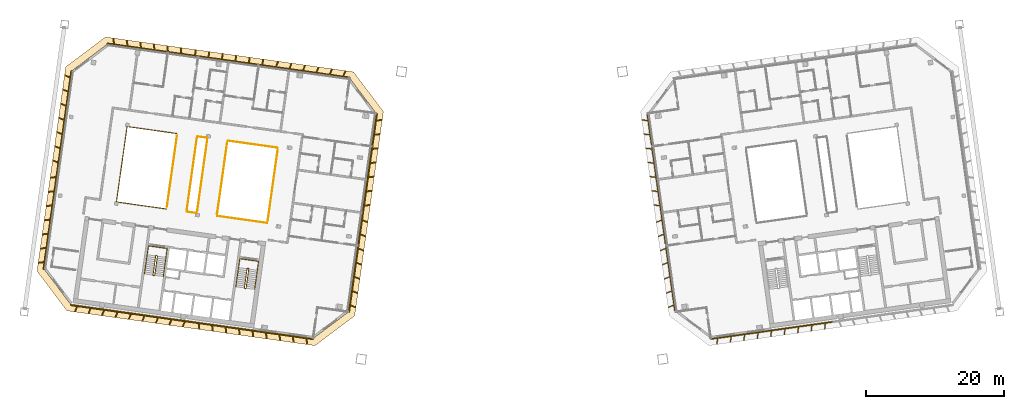
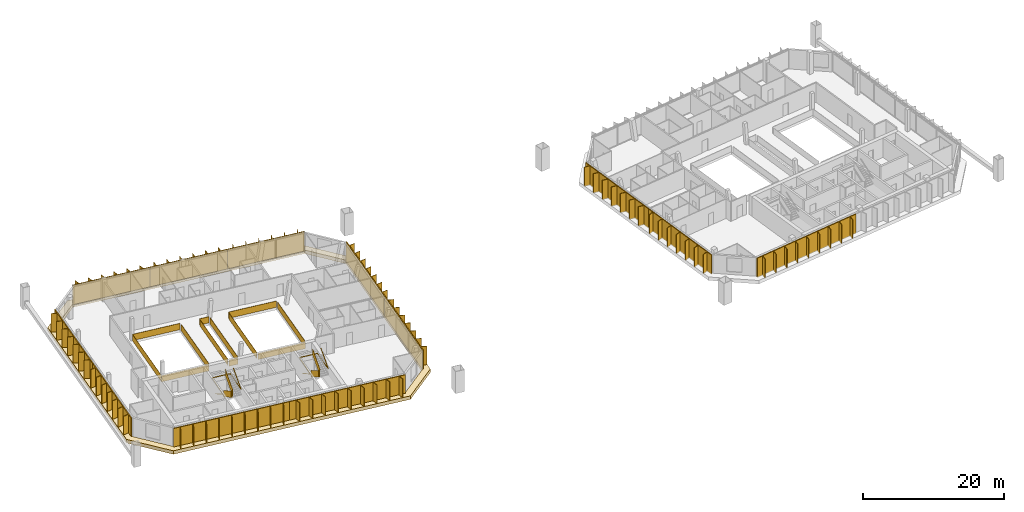
# One storey, part 25 of 26: 14 railings, 12 shading devices, 1 covering.
"""IFC4 building model written with IfcOpenShell, lengths in metres."""

from ifc_helpers import new_model, si_unit, direction, frame, origin, origin_2d, place, context, subcontext, project, spatial, polyline, rectangle, outline, extrude, material, layer, layer_set, type_object, element, save


model = new_model("IFC4")

# Units and contexts
model_context = context("Model", 3, precision=1e-05, world=origin(), true_north=direction((0.0, 1.0)))
body_context = subcontext(model_context, "Body", "Model", "MODEL_VIEW")
ifc_project = project(units=[si_unit("LENGTHUNIT", "METRE"), si_unit("AREAUNIT", "SQUARE_METRE"), si_unit("VOLUMEUNIT", "CUBIC_METRE"), si_unit("PLANEANGLEUNIT", "RADIAN"), si_unit("MASSUNIT", "GRAM", prefix="KILO")], contexts=[model_context])

# Site, building, storey
site_placement = place(None, origin())
site = spatial("IfcSite", under=ifc_project, at=site_placement, CompositionType="ELEMENT")
building_placement = place(site_placement, origin())
building = spatial("IfcBuilding", under=site, at=building_placement, Name="Mirante Cascada Hotel Towers", CompositionType="ELEMENT")
storey_placement = place(building_placement, frame((0.0, 0.0, 235.6)))
storey = spatial("IfcBuildingStorey", under=building, at=storey_placement, Name="L56", CompositionType="ELEMENT", Elevation=235.6)

# Railings
ifc_material_1 = material(Name="Toughened glass with stainless steel handrail", Category="steel")
railing_type_1 = type_object("IfcRailingType", Name="Atrium guard 1100 glass balustrade", PredefinedType="GUARDRAIL", material=ifc_material_1)
railing_1_placement = place(storey_placement, frame((-35.4245, -4.671, 0.0)))
element("IfcRailing", 1, at=railing_1_placement, inside=storey, type_object=railing_type_1, Name="GUARD 1-L56-1", PredefinedType="GUARDRAIL", context=body_context, shape_type="SweptSolid", body=[
    extrude(rectangle(XDim=0.048, YDim=0.048, at=origin_2d()), frame((0.0, 0.0, 1.076), z_axis=(-0.9902695, 0.1391628, 0.0), x_axis=(-0.1391628, -0.9902695, 0.0)), (0.0, 0.0, 1.0), 7.2907),
    extrude(rectangle(XDim=0.02, YDim=1.052, at=origin_2d()), frame((0.0, 0.0, 0.526), z_axis=(-0.9902695, 0.1391628, 0.0), x_axis=(-0.1391628, -0.9902695, 0.0)), (0.0, 0.0, 1.0), 7.2907),
])
railing_2_placement = place(storey_placement, frame((-41.1134, 7.2366, 0.0)))
element("IfcRailing", 2, at=railing_2_placement, inside=storey, type_object=railing_type_1, Name="GUARD 1-L56-2", PredefinedType="GUARDRAIL", context=body_context, shape_type="SweptSolid", body=[
    extrude(rectangle(XDim=0.048, YDim=0.048, at=origin_2d()), frame((0.0, 0.0, 1.076), z_axis=(0.9902676, -0.1391762, 0.0), x_axis=(0.1391762, 0.9902676, 0.0)), (0.0, 0.0, 1.0), 7.2908),
    extrude(rectangle(XDim=0.02, YDim=1.052, at=origin_2d()), frame((0.0, 0.0, 0.526), z_axis=(0.9902676, -0.1391762, 0.0), x_axis=(0.1391762, 0.9902676, 0.0)), (0.0, 0.0, 1.0), 7.2908),
])
railing_3_placement = place(storey_placement, frame((-45.6151, -3.2389, 0.0)))
element("IfcRailing", 3, at=railing_3_placement, inside=storey, type_object=railing_type_1, Name="GUARD 1-L56-3", PredefinedType="GUARDRAIL", context=body_context, shape_type="SweptSolid", body=[
    extrude(rectangle(XDim=0.048, YDim=0.048, at=origin_2d()), frame((0.0, 0.0, 1.076), z_axis=(-0.9902623, 0.139214, 0.0), x_axis=(-0.139214, -0.9902623, 0.0)), (0.0, 0.0, 1.0), 1.4273),
    extrude(rectangle(XDim=0.02, YDim=1.052, at=origin_2d()), frame((0.0, 0.0, 0.526), z_axis=(-0.9902623, 0.139214, 0.0), x_axis=(-0.139214, -0.9902623, 0.0)), (0.0, 0.0, 1.0), 1.4273),
])
railing_4_placement = place(storey_placement, frame((-45.4976, 7.8527, 0.0)))
element("IfcRailing", 4, at=railing_4_placement, inside=storey, type_object=railing_type_1, Name="GUARD 1-L56-4", PredefinedType="GUARDRAIL", context=body_context, shape_type="SweptSolid", body=[
    extrude(rectangle(XDim=0.048, YDim=0.048, at=origin_2d()), frame((0.0, 0.0, 1.076), z_axis=(0.990272, -0.1391453, 0.0), x_axis=(0.1391453, 0.990272, 0.0)), (0.0, 0.0, 1.0), 1.4273),
    extrude(rectangle(XDim=0.02, YDim=1.052, at=origin_2d()), frame((0.0, 0.0, 0.526), z_axis=(0.990272, -0.1391453, 0.0), x_axis=(0.1391453, 0.990272, 0.0)), (0.0, 0.0, 1.0), 1.4273),
])
railing_5_placement = place(storey_placement, frame((-49.9993, -2.6227, 0.0)))
element("IfcRailing", 5, at=railing_5_placement, inside=storey, type_object=railing_type_1, Name="GUARD 1-L56-5", PredefinedType="GUARDRAIL", context=body_context, shape_type="SweptSolid", body=[
    extrude(rectangle(XDim=0.048, YDim=0.048, at=origin_2d()), frame((0.0, 0.0, 1.076), z_axis=(-0.9902672, 0.1391793, 0.0), x_axis=(-0.1391793, -0.9902672, 0.0)), (0.0, 0.0, 1.0), 7.282),
    extrude(rectangle(XDim=0.02, YDim=1.052, at=origin_2d()), frame((0.0, 0.0, 0.526), z_axis=(-0.9902672, 0.1391793, 0.0), x_axis=(-0.1391793, -0.9902672, 0.0)), (0.0, 0.0, 1.0), 7.282),
    extrude(rectangle(XDim=0.048, YDim=0.048, at=origin_2d()), frame((-7.2111, 1.0135, 1.076), z_axis=(0.1391733, 0.990268, 0.0), x_axis=(-0.990268, 0.1391733, 0.0)), (0.0, 0.0, 1.0), 11.0),
    extrude(rectangle(XDim=0.02, YDim=1.052, at=origin_2d()), frame((-7.2111, 1.0135, 0.526), z_axis=(0.1391733, 0.990268, 0.0), x_axis=(-0.990268, 0.1391733, 0.0)), (0.0, 0.0, 1.0), 11.0),
    extrude(rectangle(XDim=0.048, YDim=0.048, at=origin_2d()), frame((-5.6802, 11.9064, 1.076), z_axis=(0.9902691, -0.1391658, 0.0), x_axis=(0.1391658, 0.9902691, 0.0)), (0.0, 0.0, 1.0), 7.282),
    extrude(rectangle(XDim=0.02, YDim=1.052, at=origin_2d()), frame((-5.6802, 11.9064, 0.526), z_axis=(0.9902691, -0.1391658, 0.0), x_axis=(0.1391658, 0.9902691, 0.0)), (0.0, 0.0, 1.0), 7.282),
])
railing_6_placement = place(storey_placement, frame((-49.9096, -2.3367, 0.0)))
element("IfcRailing", 6, at=railing_6_placement, inside=storey, type_object=railing_type_1, Name="GUARD 1-L56-6", PredefinedType="GUARDRAIL", context=body_context, shape_type="SweptSolid", body=[
    extrude(rectangle(XDim=0.048, YDim=0.048, at=origin_2d()), frame((0.0, 0.0, 1.076), z_axis=(0.1391721, 0.9902682, 0.0), x_axis=(-0.9902682, 0.1391721, 0.0)), (0.0, 0.0, 1.0), 10.4087),
    extrude(rectangle(XDim=0.02, YDim=1.052, at=origin_2d()), frame((0.0, 0.0, 0.526), z_axis=(0.1391721, 0.9902682, 0.0), x_axis=(-0.9902682, 0.1391721, 0.0)), (0.0, 0.0, 1.0), 10.4087),
])
railing_7_placement = place(storey_placement, frame((-45.5873, 7.5668, 0.0)))
element("IfcRailing", 7, at=railing_7_placement, inside=storey, type_object=railing_type_1, Name="GUARD 1-L56-7", PredefinedType="GUARDRAIL", context=body_context, shape_type="SweptSolid", body=[
    extrude(rectangle(XDim=0.048, YDim=0.048, at=origin_2d()), frame((0.0, 0.0, 1.076), z_axis=(-0.1391721, -0.9902682, 0.0), x_axis=(0.9902682, -0.1391721, 0.0)), (0.0, 0.0, 1.0), 10.4087),
    extrude(rectangle(XDim=0.02, YDim=1.052, at=origin_2d()), frame((0.0, 0.0, 0.526), z_axis=(-0.1391721, -0.9902682, 0.0), x_axis=(0.9902682, -0.1391721, 0.0)), (0.0, 0.0, 1.0), 10.4087),
])
railing_8_placement = place(storey_placement, frame((-45.5254, -2.9529, 0.0)))
element("IfcRailing", 8, at=railing_8_placement, inside=storey, type_object=railing_type_1, Name="GUARD 1-L56-8", PredefinedType="GUARDRAIL", context=body_context, shape_type="SweptSolid", body=[
    extrude(rectangle(XDim=0.048, YDim=0.048, at=origin_2d()), frame((0.0, 0.0, 1.076), z_axis=(0.1391721, 0.9902682, 0.0), x_axis=(-0.9902682, 0.1391721, 0.0)), (0.0, 0.0, 1.0), 10.4087),
    extrude(rectangle(XDim=0.02, YDim=1.052, at=origin_2d()), frame((0.0, 0.0, 0.526), z_axis=(0.1391721, 0.9902682, 0.0), x_axis=(-0.9902682, 0.1391721, 0.0)), (0.0, 0.0, 1.0), 10.4087),
])
railing_9_placement = place(storey_placement, frame((-41.2031, 6.9506, 0.0)))
element("IfcRailing", 9, at=railing_9_placement, inside=storey, type_object=railing_type_1, Name="GUARD 1-L56-9", PredefinedType="GUARDRAIL", context=body_context, shape_type="SweptSolid", body=[
    extrude(rectangle(XDim=0.048, YDim=0.048, at=origin_2d()), frame((0.0, 0.0, 1.076), z_axis=(-0.1391721, -0.9902682, 0.0), x_axis=(0.9902682, -0.1391721, 0.0)), (0.0, 0.0, 1.0), 10.4087),
    extrude(rectangle(XDim=0.02, YDim=1.052, at=origin_2d()), frame((0.0, 0.0, 0.526), z_axis=(-0.1391721, -0.9902682, 0.0), x_axis=(0.9902682, -0.1391721, 0.0)), (0.0, 0.0, 1.0), 10.4087),
])
railing_10_placement = place(storey_placement, frame((-35.3348, -4.3851, 0.0)))
element("IfcRailing", 10, at=railing_10_placement, inside=storey, type_object=railing_type_1, Name="GUARD 1-L56-10", PredefinedType="GUARDRAIL", context=body_context, shape_type="SweptSolid", body=[
    extrude(rectangle(XDim=0.048, YDim=0.048, at=origin_2d()), frame((0.0, 0.0, 1.076), z_axis=(0.1391721, 0.9902682, 0.0), x_axis=(-0.9902682, 0.1391721, 0.0)), (0.0, 0.0, 1.0), 10.4087),
    extrude(rectangle(XDim=0.02, YDim=1.052, at=origin_2d()), frame((0.0, 0.0, 0.526), z_axis=(0.1391721, 0.9902682, 0.0), x_axis=(-0.9902682, 0.1391721, 0.0)), (0.0, 0.0, 1.0), 10.4087),
])

# Covering
ifc_material_2 = material(Name="Precast concrete C40/50 white", Category="concrete")
ifc_layer = layer(ifc_material_2, 0.6)
ifc_layer_set = layer_set([ifc_layer], Name="Precast concrete SUNSHADE band 1000x600")
covering_type = type_object("IfcCoveringType", Name="Precast concrete SUNSHADE band 1000x600", PredefinedType="CLADDING", material=ifc_layer_set)
covering_placement = place(storey_placement, frame((0.0, 0.0, -0.45)))
element("IfcCovering", 11, at=covering_placement, inside=storey, type_object=covering_type, Name="Precast concrete SUNSHADE band T1 L56", PredefinedType="CLADDING", context=body_context, shape_type="SweptSolid", body=[
    extrude(outline(polyline([(-68.7156, -11.6197), (-64.5643, 17.9185), (-58.8202, 22.247), (-22.9259, 17.2024), (-18.5975, 11.4583), (-22.7488, -18.0799), (-28.4929, -22.4084), (-64.3871, -17.3638), (-68.7156, -11.6197)]), holes=[polyline([(-19.6454, 11.1873), (-23.4753, 16.2697), (-58.5492, 21.199), (-63.6316, 17.3691), (-67.6677, -11.3487), (-63.8377, -16.4311), (-28.7639, -21.3604), (-23.6814, -17.5305), (-19.6454, 11.1873)])]), origin(), (0.0, 0.0, 1.0), 0.6),
])

# Railings
ifc_material_3 = material(Name="Painted steel", Category="steel")
railing_type_2 = type_object("IfcRailingType", Name="Stair guard 1100 steel balustrade", PredefinedType="GUARDRAIL", material=ifc_material_3)
railing_11_placement = place(storey_placement, frame((-38.1178, -11.2603, 0.0)))
element("IfcRailing", 12, at=railing_11_placement, inside=storey, type_object=railing_type_2, Name="L56 ST1-A stair guard 1", PredefinedType="GUARDRAIL", context=body_context, shape_type="SweptSolid", body=[
    extrude(rectangle(XDim=0.048, YDim=0.048, at=origin_2d()), frame((0.0, 0.0, 1.076), z_axis=(-0.9903326, 0.1387133, 0.0), x_axis=(-0.1387133, -0.9903326, 0.0)), (0.0, 0.0, 1.0), 0.1499),
    extrude(rectangle(XDim=0.02, YDim=1.052, at=origin_2d()), frame((0.0, 0.0, 0.526), z_axis=(-0.9903326, 0.1387133, 0.0), x_axis=(-0.1387133, -0.9903326, 0.0)), (0.0, 0.0, 1.0), 0.1499),
    extrude(rectangle(XDim=0.048, YDim=0.048, at=origin_2d()), frame((-0.1485, 0.0208, 1.076), z_axis=(-0.7991505, -0.6011309, 0.0), x_axis=(0.6011309, -0.7991505, 0.0)), (0.0, 0.9254529, 0.3788627), 0.1866),
    extrude(rectangle(XDim=0.02, YDim=1.052, at=origin_2d()), frame((-0.1485, 0.0208, 0.526), z_axis=(-0.7991505, -0.6011309, 0.0), x_axis=(0.6011309, -0.7991505, 0.0)), (0.0, 0.9254529, 0.3788627), 0.1866),
    extrude(rectangle(XDim=0.048, YDim=0.048, at=origin_2d()), frame((-0.205, -0.0217, 1.2487), z_axis=(-0.139176, -0.9902677, 0.0), x_axis=(0.9902677, -0.139176, 0.0)), (0.0, 0.5250212, 0.8510891), 3.29),
    extrude(rectangle(XDim=0.02, YDim=1.052, at=origin_2d()), frame((-0.205, -0.0217, 0.6987), z_axis=(-0.139176, -0.9902677, 0.0), x_axis=(0.9902677, -0.139176, 0.0)), (0.0, 0.5250212, 0.8510891), 3.29),
    extrude(rectangle(XDim=0.048, YDim=0.048, at=origin_2d()), frame((-0.5947, -2.7945, 2.976), z_axis=(0.9270311, -0.3749843, 0.0), x_axis=(0.3749843, 0.9270311, 0.0)), (0.0, 0.0, 1.0), 0.2061),
    extrude(rectangle(XDim=0.02, YDim=1.052, at=origin_2d()), frame((-0.5947, -2.7945, 2.426), z_axis=(0.9270311, -0.3749843, 0.0), x_axis=(0.3749843, 0.9270311, 0.0)), (0.0, 0.0, 1.0), 0.2061),
    extrude(rectangle(XDim=0.048, YDim=0.048, at=origin_2d()), frame((-0.4036, -2.8718, 2.976), z_axis=(-0.9902408, 0.1393672, 0.0), x_axis=(-0.1393672, -0.9902408, 0.0)), (0.0, 0.0, 1.0), 0.15),
    extrude(rectangle(XDim=0.02, YDim=1.052, at=origin_2d()), frame((-0.4036, -2.8718, 2.426), z_axis=(-0.9902408, 0.1393672, 0.0), x_axis=(-0.1393672, -0.9902408, 0.0)), (0.0, 0.0, 1.0), 0.15),
    extrude(rectangle(XDim=0.048, YDim=0.048, at=origin_2d()), frame((-0.5521, -2.8509, 2.976), z_axis=(0.9944948, 0.1047858, 0.0), x_axis=(-0.1047858, 0.9944948, 0.0)), (0.0, 0.6422034, 0.7665343), 0.2689),
    extrude(rectangle(XDim=0.02, YDim=1.052, at=origin_2d()), frame((-0.5521, -2.8509, 2.426), z_axis=(0.9944948, 0.1047858, 0.0), x_axis=(-0.1047858, 0.9944948, 0.0)), (0.0, 0.6422034, 0.7665343), 0.2689),
    extrude(rectangle(XDim=0.048, YDim=0.048, at=origin_2d()), frame((-0.3471, -2.8293, 3.1487), z_axis=(0.139176, 0.9902677, 0.0), x_axis=(-0.9902677, 0.139176, 0.0)), (0.0, 0.5250212, 0.8510891), 3.29),
    extrude(rectangle(XDim=0.02, YDim=1.052, at=origin_2d()), frame((-0.3471, -2.8293, 2.5987), z_axis=(0.139176, 0.9902677, 0.0), x_axis=(-0.9902677, 0.139176, 0.0)), (0.0, 0.5250212, 0.8510891), 3.29),
])
railing_12_placement = place(storey_placement, frame((-51.3379, -9.4024, 0.0)))
element("IfcRailing", 13, at=railing_12_placement, inside=storey, type_object=railing_type_2, Name="L56 ST1-B stair guard 1", PredefinedType="GUARDRAIL", context=body_context, shape_type="SweptSolid", body=[
    extrude(rectangle(XDim=0.048, YDim=0.048, at=origin_2d()), frame((0.0, 0.0, 1.076), z_axis=(-0.9902408, 0.1393672, 0.0), x_axis=(-0.1393672, -0.9902408, 0.0)), (0.0, 0.0, 1.0), 0.15),
    extrude(rectangle(XDim=0.02, YDim=1.052, at=origin_2d()), frame((0.0, 0.0, 0.526), z_axis=(-0.9902408, 0.1393672, 0.0), x_axis=(-0.1393672, -0.9902408, 0.0)), (0.0, 0.0, 1.0), 0.15),
    extrude(rectangle(XDim=0.048, YDim=0.048, at=origin_2d()), frame((-0.1485, 0.0209, 1.076), z_axis=(-0.7984711, -0.6020331, 0.0), x_axis=(0.6020331, -0.7984711, 0.0)), (0.0, 0.9253398, 0.3791387), 0.1866),
    extrude(rectangle(XDim=0.02, YDim=1.052, at=origin_2d()), frame((-0.1485, 0.0209, 0.526), z_axis=(-0.7984711, -0.6020331, 0.0), x_axis=(0.6020331, -0.7984711, 0.0)), (0.0, 0.9253398, 0.3791387), 0.1866),
    extrude(rectangle(XDim=0.048, YDim=0.048, at=origin_2d()), frame((-0.205, -0.0217, 1.2487), z_axis=(-0.139181, -0.990267, 0.0), x_axis=(0.990267, -0.139181, 0.0)), (0.0, 0.5250347, 0.8510808), 3.2899),
    extrude(rectangle(XDim=0.02, YDim=1.052, at=origin_2d()), frame((-0.205, -0.0217, 0.6987), z_axis=(-0.139181, -0.990267, 0.0), x_axis=(0.990267, -0.139181, 0.0)), (0.0, 0.5250347, 0.8510808), 3.2899),
    extrude(rectangle(XDim=0.048, YDim=0.048, at=origin_2d()), frame((-0.5947, -2.7944, 2.976), z_axis=(0.9268624, -0.3754011, 0.0), x_axis=(0.3754011, 0.9268624, 0.0)), (0.0, 0.0, 1.0), 0.2062),
    extrude(rectangle(XDim=0.02, YDim=1.052, at=origin_2d()), frame((-0.5947, -2.7944, 2.426), z_axis=(0.9268624, -0.3754011, 0.0), x_axis=(0.3754011, 0.9268624, 0.0)), (0.0, 0.0, 1.0), 0.2062),
    extrude(rectangle(XDim=0.048, YDim=0.048, at=origin_2d()), frame((-0.4036, -2.8718, 2.976), z_axis=(-0.9902408, 0.1393672, 0.0), x_axis=(-0.1393672, -0.9902408, 0.0)), (0.0, 0.0, 1.0), 0.15),
    extrude(rectangle(XDim=0.02, YDim=1.052, at=origin_2d()), frame((-0.4036, -2.8718, 2.426), z_axis=(-0.9902408, 0.1393672, 0.0), x_axis=(-0.1393672, -0.9902408, 0.0)), (0.0, 0.0, 1.0), 0.15),
    extrude(rectangle(XDim=0.048, YDim=0.048, at=origin_2d()), frame((-0.5521, -2.8509, 2.976), z_axis=(0.9944441, 0.1052656, 0.0), x_axis=(-0.1052656, 0.9944441, 0.0)), (0.0, 0.6421842, 0.7665504), 0.2689),
    extrude(rectangle(XDim=0.02, YDim=1.052, at=origin_2d()), frame((-0.5521, -2.8509, 2.426), z_axis=(0.9944441, 0.1052656, 0.0), x_axis=(-0.1052656, 0.9944441, 0.0)), (0.0, 0.6421842, 0.7665504), 0.2689),
    extrude(rectangle(XDim=0.048, YDim=0.048, at=origin_2d()), frame((-0.3471, -2.8292, 3.1487), z_axis=(0.139181, 0.990267, 0.0), x_axis=(-0.990267, 0.139181, 0.0)), (0.0, 0.5250347, 0.8510808), 3.2899),
    extrude(rectangle(XDim=0.02, YDim=1.052, at=origin_2d()), frame((-0.3471, -2.8292, 2.5987), z_axis=(0.139181, 0.990267, 0.0), x_axis=(-0.990267, 0.139181, 0.0)), (0.0, 0.5250347, 0.8510808), 3.2899),
])
ifc_material_4 = material(Name="Painted steel", Category="steel")
railing_type_3 = type_object("IfcRailingType", Name="Stair handrail 900 steel tube", PredefinedType="HANDRAIL", material=ifc_material_4)
railing_13_placement = place(storey_placement, frame((-39.5606, -11.1081, 0.1727)))
element("IfcRailing", 14, at=railing_13_placement, inside=storey, type_object=railing_type_3, Name="L56 ST1-A stair handrail 1", PredefinedType="HANDRAIL", context=body_context, shape_type="SweptSolid", body=[
    extrude(rectangle(XDim=0.048, YDim=0.048, at=origin_2d()), frame((0.0, 0.0, 0.876), z_axis=(-0.139181, -0.990267, 0.0), x_axis=(0.990267, -0.139181, 0.0)), (0.0, 0.5250347, 0.8510808), 3.2899),
    extrude(rectangle(XDim=0.048, YDim=0.048, at=origin_2d()), frame((-0.3897, -2.7727, 2.6033), z_axis=(0.1391707, 0.9902684, 0.0), x_axis=(-0.9902684, 0.1391707, 0.0)), (0.0, 0.0420846, 0.999114), 4.1036),
    extrude(rectangle(XDim=0.048, YDim=0.048, at=origin_2d()), frame((0.1809, 1.2874, 2.776), z_axis=(0.9902691, -0.1391657, 0.0), x_axis=(0.1391657, 0.9902691, 0.0)), (0.0, 0.0, 1.0), 2.75),
    extrude(rectangle(XDim=0.048, YDim=0.048, at=origin_2d()), frame((2.9041, 0.9047, 2.776), z_axis=(-0.1391707, -0.9902684, 0.0), x_axis=(0.9902684, -0.1391707, 0.0)), (0.0, 0.0, 1.0), 4.1),
    extrude(rectangle(XDim=0.048, YDim=0.048, at=origin_2d()), frame((2.3335, -3.1554, 2.776), z_axis=(0.139181, 0.990267, 0.0), x_axis=(-0.990267, 0.139181, 0.0)), (0.0, 0.5250347, 0.8510808), 3.2899),
])
railing_14_placement = place(storey_placement, frame((-52.7807, -9.2501, 0.1727)))
element("IfcRailing", 15, at=railing_14_placement, inside=storey, type_object=railing_type_3, Name="L56 ST1-B stair handrail 1", PredefinedType="HANDRAIL", context=body_context, shape_type="SweptSolid", body=[
    extrude(rectangle(XDim=0.048, YDim=0.048, at=origin_2d()), frame((0.0, 0.0, 0.876), z_axis=(-0.139181, -0.990267, 0.0), x_axis=(0.990267, -0.139181, 0.0)), (0.0, 0.5250347, 0.8510808), 3.2899),
    extrude(rectangle(XDim=0.048, YDim=0.048, at=origin_2d()), frame((-0.3897, -2.7727, 2.6033), z_axis=(0.1391707, 0.9902684, 0.0), x_axis=(-0.9902684, 0.1391707, 0.0)), (0.0, 0.0420846, 0.999114), 4.1036),
    extrude(rectangle(XDim=0.048, YDim=0.048, at=origin_2d()), frame((0.1809, 1.2874, 2.776), z_axis=(0.9902641, -0.1392013, 0.0), x_axis=(0.1392013, 0.9902641, 0.0)), (0.0, 0.0, 1.0), 2.75),
    extrude(rectangle(XDim=0.048, YDim=0.048, at=origin_2d()), frame((2.9041, 0.9046, 2.776), z_axis=(-0.1391707, -0.9902684, 0.0), x_axis=(0.9902684, -0.1391707, 0.0)), (0.0, 0.0, 1.0), 4.1),
    extrude(rectangle(XDim=0.048, YDim=0.048, at=origin_2d()), frame((2.3335, -3.1555, 2.776), z_axis=(0.139176, 0.9902677, 0.0), x_axis=(-0.9902677, 0.139176, 0.0)), (0.0, 0.5250212, 0.8510891), 3.29),
])

# Shading devices
ifc_material_5 = material(Name="White precast concrete C50/60 fin", Category="concrete")
shading_device_type = type_object("IfcShadingDeviceType", Name="Vertical fin set 4500x900", PredefinedType="USERDEFINED", material=ifc_material_5)
shading_device_1_placement = place(storey_placement, origin())
element("IfcShadingDevice", 16, at=shading_device_1_placement, inside=storey, type_object=shading_device_type, Name="FIN T1 L56 front 1", ObjectType="FIN", PredefinedType="USERDEFINED", context=body_context, shape_type="SweptSolid", body=[
    extrude(outline(polyline([(-47.8882, 20.6901), (-47.7835, 19.8375), (-46.837, 19.7045), (-46.8579, 19.5559), (-58.5492, 21.199), (-58.5283, 21.3476), (-57.6083, 21.2183), (-57.7103, 22.0496), (-57.6309, 22.0593), (-57.5263, 21.2068), (-55.6597, 20.9444), (-55.7618, 21.7757), (-55.6824, 21.7855), (-55.5777, 20.9329), (-53.7112, 20.6706), (-53.8133, 21.5019), (-53.7339, 21.5116), (-53.6292, 20.6591), (-51.7626, 20.3967), (-51.8647, 21.228), (-51.7853, 21.2378), (-51.6806, 20.3852), (-49.8141, 20.1229), (-49.9162, 20.9542), (-49.8368, 20.9639), (-49.7321, 20.1114), (-47.8655, 19.849), (-47.9676, 20.6803), (-47.8882, 20.6901)])), origin(), (0.0, 0.0, 1.0), 3.35),
])
shading_device_2_placement = place(storey_placement, origin())
element("IfcShadingDevice", 17, at=shading_device_2_placement, inside=storey, type_object=shading_device_type, Name="FIN T1 L56 front 2", ObjectType="FIN", PredefinedType="USERDEFINED", context=body_context, shape_type="SweptSolid", body=[
    extrude(outline(polyline([(-35.9621, 19.0345), (-36.0804, 18.1927), (-35.1457, 18.0614), (-35.1666, 17.9128), (-46.8579, 19.5559), (-46.837, 19.7045), (-45.9023, 19.5731), (-45.784, 20.4149), (-45.7048, 20.4037), (-45.8231, 19.562), (-43.9538, 19.2993), (-43.8355, 20.141), (-43.7563, 20.1299), (-43.8746, 19.2881), (-42.0052, 19.0254), (-41.8869, 19.8672), (-41.8077, 19.856), (-41.926, 19.0143), (-40.0567, 18.7516), (-39.9384, 19.5933), (-39.8592, 19.5822), (-39.9775, 18.7404), (-38.1081, 18.4777), (-37.9898, 19.3195), (-37.9106, 19.3083), (-38.0289, 18.4666), (-36.1596, 18.2039), (-36.0413, 19.0456), (-35.9621, 19.0345)])), origin(), (0.0, 0.0, 1.0), 3.35),
])
shading_device_3_placement = place(storey_placement, origin())
element("IfcShadingDevice", 18, at=shading_device_3_placement, inside=storey, type_object=shading_device_type, Name="FIN T1 L56 front 3", ObjectType="FIN", PredefinedType="USERDEFINED", context=body_context, shape_type="SweptSolid", body=[
    extrude(outline(polyline([(-24.0472, 17.3185), (-24.3744, 16.5476), (-23.4544, 16.4183), (-23.4753, 16.2697), (-35.1666, 17.9128), (-35.1457, 18.0614), (-34.1992, 17.9284), (-33.8636, 18.719), (-33.7899, 18.6878), (-34.1172, 17.9168), (-32.2506, 17.6545), (-31.915, 18.4452), (-31.8414, 18.4139), (-32.1686, 17.643), (-30.3021, 17.3807), (-29.9665, 18.1713), (-29.8928, 18.1401), (-30.2201, 17.3691), (-28.3535, 17.1068), (-28.0179, 17.8975), (-27.9443, 17.8662), (-28.2715, 17.0953), (-26.405, 16.833), (-26.0694, 17.6236), (-25.9957, 17.5924), (-26.323, 16.8214), (-24.4564, 16.5591), (-24.1208, 17.3498), (-24.0472, 17.3185)])), origin(), (0.0, 0.0, 1.0), 3.35),
])
shading_device_4_placement = place(storey_placement, origin())
element("IfcShadingDevice", 19, at=shading_device_4_placement, inside=storey, type_object=shading_device_type, Name="FIN T1 L56 inner 1", ObjectType="FIN", PredefinedType="USERDEFINED", context=body_context, shape_type="SweptSolid", body=[
    extrude(outline(polyline([(-21.3746, -2.1946), (-21.5148, -3.1925), (-21.6634, -3.1716), (-19.6454, 11.1873), (-19.4968, 11.1664), (-19.6334, 10.195), (-18.8021, 10.2971), (-18.7923, 10.2177), (-19.6449, 10.113), (-19.9216, 8.1437), (-19.0904, 8.2458), (-19.0806, 8.1664), (-19.9332, 8.0617), (-20.2099, 6.0925), (-19.3787, 6.1945), (-19.3689, 6.1151), (-20.2215, 6.0105), (-20.4982, 4.0412), (-19.6669, 4.1433), (-19.6572, 4.0639), (-20.5097, 3.9592), (-20.7865, 1.9899), (-19.9552, 2.092), (-19.9455, 2.0126), (-20.798, 1.9079), (-21.0748, -0.0613), (-20.2435, 0.0407), (-20.2338, -0.0387), (-21.0863, -0.1433), (-21.3631, -2.1126), (-20.5318, -2.0105), (-20.5221, -2.0899), (-21.3746, -2.1946)])), origin(), (0.0, 0.0, 1.0), 3.35),
])
shading_device_5_placement = place(storey_placement, origin())
element("IfcShadingDevice", 20, at=shading_device_5_placement, inside=storey, type_object=shading_device_type, Name="FIN T1 L56 inner 2", ObjectType="FIN", PredefinedType="USERDEFINED", context=body_context, shape_type="SweptSolid", body=[
    extrude(outline(polyline([(-23.3963, -16.58), (-23.5329, -17.5514), (-23.6814, -17.5305), (-21.6634, -3.1716), (-21.5148, -3.1925), (-21.6551, -4.1904), (-20.8644, -4.526), (-20.8957, -4.5997), (-21.6666, -4.2724), (-21.9434, -6.2417), (-21.1527, -6.5773), (-21.184, -6.6509), (-21.9549, -6.3237), (-22.2317, -8.2929), (-21.441, -8.6286), (-21.4723, -8.7022), (-22.2432, -8.375), (-22.52, -10.3442), (-21.7293, -10.6798), (-21.7605, -10.7535), (-22.5315, -10.4262), (-22.8082, -12.3955), (-22.0176, -12.7311), (-22.0488, -12.8047), (-22.8198, -12.4775), (-23.0965, -14.4468), (-22.3059, -14.7824), (-22.3371, -14.856), (-23.1081, -14.5288), (-23.3848, -16.498), (-22.5941, -16.8336), (-22.6254, -16.9073), (-23.3963, -16.58)])), origin(), (0.0, 0.0, 1.0), 3.35),
])
shading_device_6_placement = place(storey_placement, origin())
element("IfcShadingDevice", 21, at=shading_device_6_placement, inside=storey, type_object=shading_device_type, Name="FIN T1 L56 outer 1", ObjectType="FIN", PredefinedType="USERDEFINED", context=body_context, shape_type="SweptSolid", body=[
    extrude(outline(polyline([(-67.6682, -10.2744), (-67.3914, -8.3052), (-68.2227, -8.4072), (-68.2324, -8.3278), (-67.3799, -8.2231), (-67.1031, -6.2539), (-67.9344, -6.3559), (-67.9441, -6.2765), (-67.0916, -6.1719), (-66.8148, -4.2026), (-67.6461, -4.3047), (-67.6558, -4.2253), (-66.8033, -4.1206), (-66.5265, -2.1513), (-67.3578, -2.2534), (-67.3676, -2.174), (-66.515, -2.0693), (-66.2382, -0.1001), (-67.0695, -0.2021), (-67.0793, -0.1227), (-66.2267, -0.0181), (-65.95, 1.9512), (-66.7812, 1.8491), (-66.791, 1.9285), (-65.9384, 2.0332), (-65.7982, 3.0311), (-65.6497, 3.0102), (-67.6677, -11.3487), (-67.8162, -11.3278), (-67.6797, -10.3564), (-68.511, -10.4585), (-68.5207, -10.3791), (-67.6682, -10.2744)])), origin(), (0.0, 0.0, 1.0), 3.35),
])
shading_device_7_placement = place(storey_placement, origin())
element("IfcShadingDevice", 22, at=shading_device_7_placement, inside=storey, type_object=shading_device_type, Name="FIN T1 L56 outer 2", ObjectType="FIN", PredefinedType="USERDEFINED", context=body_context, shape_type="SweptSolid", body=[
    extrude(outline(polyline([(-65.6464, 4.111), (-65.3697, 6.0803), (-66.1603, 6.4159), (-66.1291, 6.4895), (-65.3581, 6.1623), (-65.0814, 8.1315), (-65.872, 8.4672), (-65.8408, 8.5408), (-65.0698, 8.2136), (-64.7931, 10.1828), (-65.5838, 10.5184), (-65.5525, 10.5921), (-64.7816, 10.2648), (-64.5048, 12.2341), (-65.2955, 12.5697), (-65.2642, 12.6433), (-64.4933, 12.3161), (-64.2165, 14.2853), (-65.0072, 14.621), (-64.9759, 14.6946), (-64.205, 14.3674), (-63.9282, 16.3366), (-64.7189, 16.6722), (-64.6876, 16.7459), (-63.9167, 16.4186), (-63.7802, 17.39), (-63.6316, 17.3691), (-65.6497, 3.0102), (-65.7982, 3.0311), (-65.6579, 4.029), (-66.4486, 4.3646), (-66.4174, 4.4383), (-65.6464, 4.111)])), origin(), (0.0, 0.0, 1.0), 3.35),
])
shading_device_8_placement = place(storey_placement, origin())
element("IfcShadingDevice", 23, at=shading_device_8_placement, inside=storey, type_object=shading_device_type, Name="FIN T1 L56 rear 1", ObjectType="FIN", PredefinedType="USERDEFINED", context=body_context, shape_type="SweptSolid", body=[
    extrude(outline(polyline([(-29.7868, -21.3682), (-31.6533, -21.1058), (-31.5512, -21.9371), (-31.6306, -21.9469), (-31.7353, -21.0943), (-33.6019, -20.832), (-33.4998, -21.6633), (-33.5792, -21.673), (-33.6839, -20.8205), (-35.5504, -20.5581), (-35.4483, -21.3894), (-35.5277, -21.3992), (-35.6324, -20.5466), (-37.4989, -20.2843), (-37.3969, -21.1156), (-37.4763, -21.1253), (-37.581, -20.2728), (-39.4475, -20.0104), (-39.3454, -20.8417), (-39.4248, -20.8515), (-39.5295, -19.9989), (-41.396, -19.7366), (-41.294, -20.5679), (-41.3734, -20.5776), (-41.4781, -19.7251), (-43.3446, -19.4627), (-43.2425, -20.294), (-43.3219, -20.3038), (-43.4266, -19.4512), (-45.2931, -19.1889), (-45.1911, -20.0202), (-45.2705, -20.0299), (-45.3752, -19.1774), (-46.3217, -19.0443), (-46.3008, -18.8958), (-28.7639, -21.3604), (-28.7848, -21.509), (-29.7048, -21.3797), (-29.6027, -22.211), (-29.6821, -22.2207), (-29.7868, -21.3682)])), origin(), (0.0, 0.0, 1.0), 3.35),
])
shading_device_9_placement = place(storey_placement, origin())
element("IfcShadingDevice", 24, at=shading_device_9_placement, inside=storey, type_object=shading_device_type, Name="FIN T1 L56 rear 2", ObjectType="FIN", PredefinedType="USERDEFINED", context=body_context, shape_type="SweptSolid", body=[
    extrude(outline(polyline([(-47.3502, -18.8998), (-49.2168, -18.6375), (-49.5524, -19.4281), (-49.626, -19.3969), (-49.2988, -18.6259), (-51.1653, -18.3636), (-51.5009, -19.1543), (-51.5746, -19.123), (-51.2473, -18.3521), (-53.1139, -18.0898), (-53.4495, -18.8804), (-53.5231, -18.8492), (-53.1959, -18.0782), (-55.0624, -17.8159), (-55.398, -18.6066), (-55.4717, -18.5753), (-55.1444, -17.8044), (-57.011, -17.5421), (-57.3466, -18.3327), (-57.4202, -18.3015), (-57.093, -17.5305), (-58.9595, -17.2682), (-59.2951, -18.0589), (-59.3688, -18.0276), (-59.0415, -17.2567), (-60.908, -16.9944), (-61.2437, -17.785), (-61.3173, -17.7538), (-60.9901, -16.9828), (-62.8566, -16.7205), (-63.1922, -17.5112), (-63.2659, -17.4799), (-62.9386, -16.709), (-63.8586, -16.5797), (-63.8377, -16.4311), (-46.3008, -18.8958), (-46.3217, -19.0443), (-47.2682, -18.9113), (-47.6038, -19.702), (-47.6775, -19.6707), (-47.3502, -18.8998)])), origin(), (0.0, 0.0, 1.0), 3.35),
])
shading_device_10_placement = place(storey_placement, origin())
element("IfcShadingDevice", 25, at=shading_device_10_placement, inside=storey, type_object=shading_device_type, Name="FIN T2 L56 inner 1", ObjectType="FIN", PredefinedType="USERDEFINED", context=body_context, shape_type="SweptSolid", body=[
    extrude(outline(polyline([(20.5318, -2.0105), (21.3631, -2.1126), (21.0863, -0.1433), (20.2338, -0.0387), (20.2435, 0.0407), (21.0748, -0.0613), (20.798, 1.9079), (19.9455, 2.0126), (19.9552, 2.092), (20.7865, 1.9899), (20.5097, 3.9592), (19.6572, 4.0639), (19.6669, 4.1433), (20.4982, 4.0412), (20.2215, 6.0105), (19.3689, 6.1151), (19.3787, 6.1945), (20.2099, 6.0925), (19.9332, 8.0617), (19.0806, 8.1664), (19.0904, 8.2458), (19.9216, 8.1437), (19.6449, 10.113), (18.7923, 10.2177), (18.8021, 10.2971), (19.6334, 10.195), (19.4968, 11.1664), (19.6454, 11.1873), (21.6634, -3.1716), (21.5148, -3.1925), (21.3746, -2.1946), (20.5221, -2.0899), (20.5318, -2.0105)])), origin(), (0.0, 0.0, 1.0), 3.35),
])
shading_device_11_placement = place(storey_placement, origin())
element("IfcShadingDevice", 26, at=shading_device_11_placement, inside=storey, type_object=shading_device_type, Name="FIN T2 L56 inner 2", ObjectType="FIN", PredefinedType="USERDEFINED", context=body_context, shape_type="SweptSolid", body=[
    extrude(outline(polyline([(22.5941, -16.8336), (23.3848, -16.498), (23.1081, -14.5288), (22.3371, -14.856), (22.3059, -14.7824), (23.0965, -14.4468), (22.8198, -12.4775), (22.0488, -12.8047), (22.0176, -12.7311), (22.8082, -12.3955), (22.5315, -10.4262), (21.7605, -10.7535), (21.7293, -10.6798), (22.52, -10.3442), (22.2432, -8.375), (21.4723, -8.7022), (21.441, -8.6286), (22.2317, -8.2929), (21.9549, -6.3237), (21.184, -6.6509), (21.1527, -6.5773), (21.9434, -6.2417), (21.6666, -4.2724), (20.8957, -4.5997), (20.8644, -4.526), (21.6551, -4.1904), (21.5148, -3.1925), (21.6634, -3.1716), (23.6814, -17.5305), (23.5329, -17.5514), (23.3963, -16.58), (22.6254, -16.9073), (22.5941, -16.8336)])), origin(), (0.0, 0.0, 1.0), 3.35),
])
shading_device_12_placement = place(storey_placement, origin())
element("IfcShadingDevice", 27, at=shading_device_12_placement, inside=storey, type_object=shading_device_type, Name="FIN T2 L56 rear 1", ObjectType="FIN", PredefinedType="USERDEFINED", context=body_context, shape_type="SweptSolid", body=[
    extrude(outline(polyline([(29.6027, -22.211), (29.7048, -21.3797), (28.7848, -21.509), (28.7639, -21.3604), (46.3008, -18.8958), (46.3217, -19.0443), (45.3752, -19.1774), (45.2705, -20.0299), (45.1911, -20.0202), (45.2931, -19.1889), (43.4266, -19.4512), (43.3219, -20.3038), (43.2425, -20.294), (43.3446, -19.4627), (41.4781, -19.7251), (41.3734, -20.5776), (41.294, -20.5679), (41.396, -19.7366), (39.5295, -19.9989), (39.4248, -20.8515), (39.3454, -20.8417), (39.4475, -20.0104), (37.581, -20.2728), (37.4763, -21.1253), (37.3969, -21.1156), (37.4989, -20.2843), (35.6324, -20.5466), (35.5277, -21.3992), (35.4483, -21.3894), (35.5504, -20.5581), (33.6839, -20.8205), (33.5792, -21.673), (33.4998, -21.6633), (33.6019, -20.832), (31.7353, -21.0943), (31.6306, -21.9469), (31.5512, -21.9371), (31.6533, -21.1058), (29.7868, -21.3682), (29.6821, -22.2207), (29.6027, -22.211)])), origin(), (0.0, 0.0, 1.0), 3.35),
])

save(model, "model.ifc")
